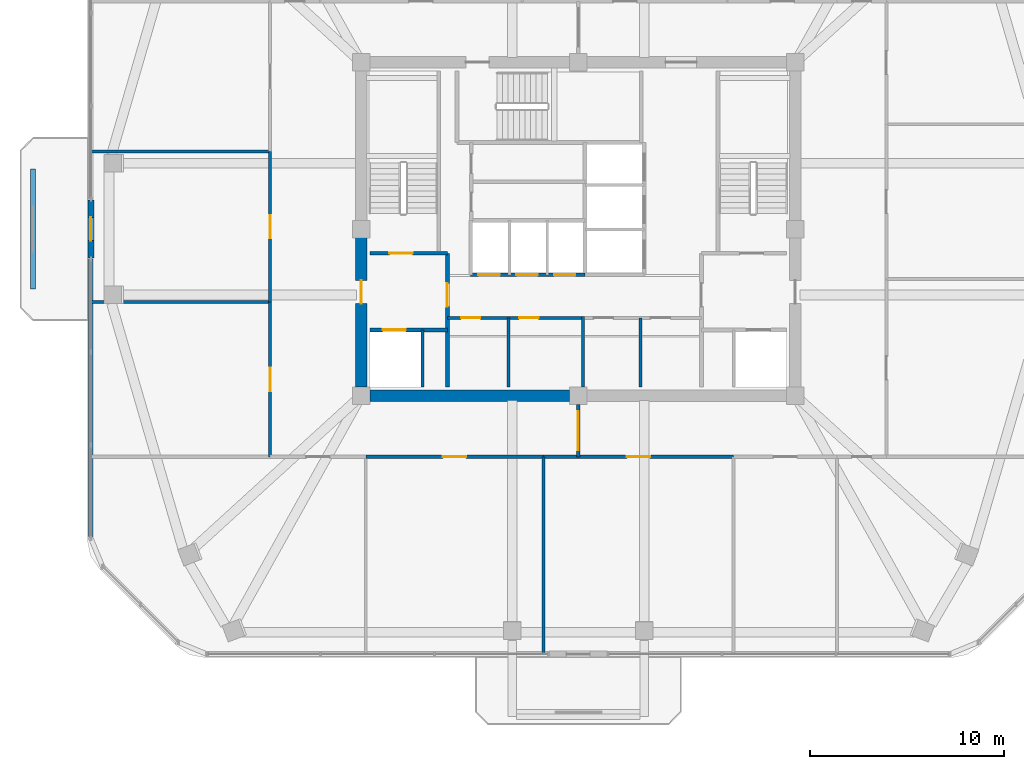
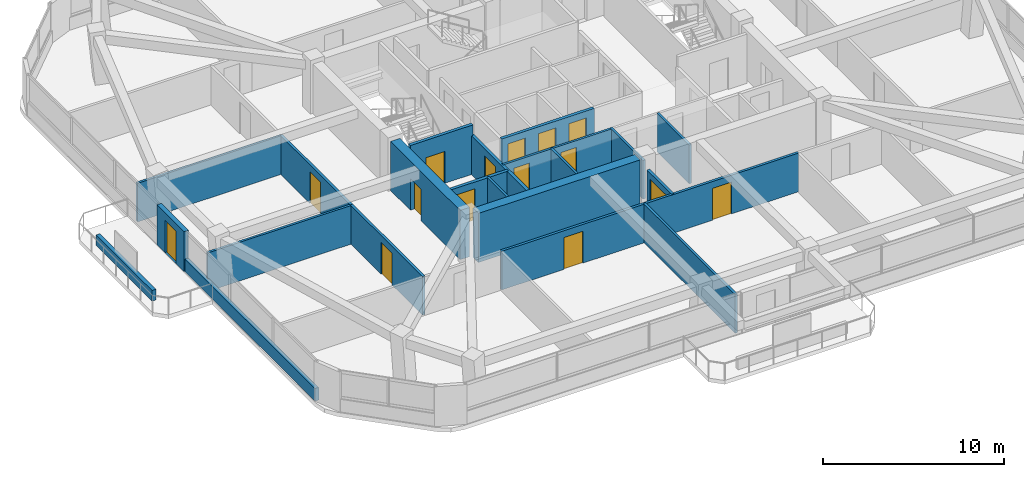
# One storey, part 8 of 13: 22 walls, 15 doors, 15 openings.
"""IFC4 building model written with IfcOpenShell, lengths in metres."""

from ifc_helpers import new_model, si_unit, derived_unit, direction, frame, frame_2d, origin, place, context, subcontext, project, spatial, rectangle, extrude, material, layer, layer_set, type_object, element, fill, save


model = new_model("IFC4")

# Units and contexts
model_context = context("Model", 3, precision=1e-05, world=origin(), true_north=direction((0.0, 1.0)))
body_context = subcontext(model_context, "Body", "Model", "MODEL_VIEW")
ifc_project = project(units=[si_unit("LENGTHUNIT", "METRE"), si_unit("AREAUNIT", "SQUARE_METRE"), si_unit("VOLUMEUNIT", "CUBIC_METRE"), si_unit("PLANEANGLEUNIT", "RADIAN"), si_unit("MASSUNIT", "GRAM", prefix="KILO"), derived_unit("THERMALTRANSMITTANCEUNIT", [(si_unit("POWERUNIT", "WATT"), 1), (si_unit("LENGTHUNIT", "METRE"), -2), (si_unit("THERMODYNAMICTEMPERATUREUNIT", "KELVIN"), -1)])], contexts=[model_context])

# Site, building, storey
site_placement = place(None, origin())
site = spatial("IfcSite", under=ifc_project, at=site_placement, CompositionType="ELEMENT")
building_placement = place(site_placement, origin())
building = spatial("IfcBuilding", under=site, at=building_placement, Name="Koralith Skygarden Medical Center", CompositionType="ELEMENT")
storey_placement = place(building_placement, frame((0.0, 0.0, 199.97998046875)))
storey = spatial("IfcBuildingStorey", under=building, at=storey_placement, Name="L51", CompositionType="ELEMENT", Elevation=199.97998046875)

# Wall, openings, doors
ifc_material_1 = material(Name="Gypsum Board Partition")
ifc_layer_1 = layer(ifc_material_1, 0.14990234375)
ifc_layer_set_1 = layer_set([ifc_layer_1], Name="Gypsum Board Partition")
wall_type_1 = type_object("IfcWallType", Name="Clinical Acoustic Partition 150", PredefinedType="PARTITIONING", material=ifc_layer_set_1)
wall_1_placement = place(storey_placement, frame((30.25, 21.320068359375, 0.0), z_axis=(0.0, 0.0, 1.0), x_axis=(1.0, 0.0, 0.0)))
wall_1 = element("IfcWall", 1, at=wall_1_placement, inside=storey, type_object=wall_type_1, Name="L51 Clinical Acoustic Partition 150 W-CORE-L51-FREED-LR-N", PredefinedType="PARTITIONING", context=body_context, shape_type="SweptSolid", body=[
    extrude(rectangle(XDim=7.0, YDim=0.14990234375, at=frame_2d((3.5, 0.0))), origin(), (0.0, 0.0, 1.0), 2.610107421875),
])
opening_1_placement = place(wall_1_placement, frame((0.699951171875, 0.0, 0.0)))
opening_1 = element("IfcOpeningElement", 2, at=opening_1_placement, cuts=wall_1, Name="Opening D-SUP", PredefinedType="OPENING", context=body_context, shape_type="SweptSolid", body=[
    extrude(rectangle(XDim=1.0, YDim=2.14990234375, at=frame_2d((0.5, 1.074951171875))), frame((0.0, 0.0849609375, 0.0), z_axis=(0.0, -1.0, 0.0), x_axis=(1.0, 0.0, 0.0)), (0.0, 0.0, 1.0), 0.169921875),
])
opening_2_placement = place(wall_1_placement, frame((3.699951171875, 0.0, 0.0)))
opening_2 = element("IfcOpeningElement", 3, at=opening_2_placement, cuts=wall_1, Name="Opening D-SUP", PredefinedType="OPENING", context=body_context, shape_type="SweptSolid", body=[
    extrude(rectangle(XDim=1.0, YDim=2.14990234375, at=frame_2d((0.5, 1.074951171875))), frame((0.0, 0.0849609375, 0.0), z_axis=(0.0, -1.0, 0.0), x_axis=(1.0, 0.0, 0.0)), (0.0, 0.0, 1.0), 0.169921875),
])
ifc_material_2 = material(Name="Aluminium 6063-T6", Category="aluminium")
door_type_1 = type_object("IfcDoorType", Name="Clinical Support Door D-SUP 1000", OperationType="NOTDEFINED", PredefinedType="DOOR", material=ifc_material_2)
door_1_placement = place(opening_1_placement, frame((1.0, 0.0, 0.0), z_axis=(0.0, 0.0, 1.0), x_axis=(-1.0, 0.0, 0.0)))
door_1 = element("IfcDoor", 4, at=door_1_placement, inside=storey, type_object=door_type_1, Name="L51 Medication Preparation Door", OperationType="SINGLE_SWING_LEFT", OverallHeight=2.14990234375, OverallWidth=1.0, PredefinedType="DOOR", context=body_context, shape_type="SweptSolid", body=[
    extrude(rectangle(XDim=1.0, YDim=2.14990234375, at=frame_2d((0.5, 1.074951171875))), frame((0.0, 0.02490234375, 0.0), z_axis=(0.0, -1.0, 0.0), x_axis=(1.0, 0.0, 0.0)), (0.0, 0.0, 1.0), 0.050048828125),
])
fill(opening_1, door_1)
door_2_placement = place(opening_2_placement, frame((1.0, 0.0, 0.0), z_axis=(0.0, 0.0, 1.0), x_axis=(-1.0, 0.0, 0.0)))
door_2 = element("IfcDoor", 5, at=door_2_placement, inside=storey, type_object=door_type_1, Name="L51 Telemetry Room Door", OperationType="SINGLE_SWING_RIGHT", OverallHeight=2.14990234375, OverallWidth=1.0, PredefinedType="DOOR", context=body_context, shape_type="SweptSolid", body=[
    extrude(rectangle(XDim=1.0, YDim=2.14990234375, at=frame_2d((0.5, 1.074951171875))), frame((0.0, 0.02490234375, 0.0), z_axis=(0.0, -1.0, 0.0), x_axis=(1.0, 0.0, 0.0)), (0.0, 0.0, 1.0), 0.050048828125),
])
fill(opening_2, door_2)

# Walls
for number, where, z_axis, x_axis, name in (
    (6, (33.39990234375, 17.75, 0.0), (0.0, 0.0, 1.0), (0.0, 1.0, 0.0), "L51 Clinical Acoustic Partition 150 W-CORE-L51-FREED-LR-M"),
    (7, (40.199951171875, 17.75, 0.0), (0.0, 0.0, 1.0), (0.0, 1.0, 0.0), "L51 Clinical Acoustic Partition 150 W-CORE-L51-FREED-MR-M"),
):
    element("IfcWall", number, at=place(storey_placement, frame(where, z_axis=z_axis, x_axis=x_axis)), inside=storey, type_object=wall_type_1, Name=name, PredefinedType="PARTITIONING", context=body_context, shape_type="SweptSolid", body=[
        extrude(rectangle(XDim=3.570068359375, YDim=0.14990234375, at=frame_2d((1.78515625, 0.0))), origin(), (0.0, 0.0, 1.0), 2.610107421875),
    ])
wall_2_placement = place(storey_placement, frame((35.199951171875, 14.14990234375, 0.0), z_axis=(0.0, 0.0, 1.0), x_axis=(0.0, -1.0, 0.0)))
element("IfcWall", 8, at=wall_2_placement, inside=storey, type_object=wall_type_1, Name="L51 Clinical Acoustic Partition 150 W-PART-L51-S-02", PredefinedType="PARTITIONING", context=body_context, shape_type="SweptSolid", body=[
    extrude(rectangle(XDim=10.156005859375, YDim=0.14990234375, at=frame_2d((5.078125, 0.0))), origin(), (0.0, 0.0, 1.0), 2.610107421875),
])
for number, where, z_axis, x_axis, name in (
    (9, (21.10009765625, 22.139892578125, 0.0), (0.0, 0.0, 1.0), (-1.0, 0.0, 0.0), "L51 Clinical Acoustic Partition 150 W-PART-L51-W-01"),
    (10, (21.10009765625, 29.89501953125, 0.0), (0.0, 0.0, 1.0), (-1.0, 0.0, 0.0), "L51 Clinical Acoustic Partition 150 W-PART-L51-W-02"),
):
    element("IfcWall", number, at=place(storey_placement, frame(where, z_axis=z_axis, x_axis=x_axis)), inside=storey, type_object=wall_type_1, Name=name, PredefinedType="PARTITIONING", context=body_context, shape_type="SweptSolid", body=[
        extrude(rectangle(XDim=9.22802734375, YDim=0.14990234375, at=frame_2d((4.614013671875, 0.0))), origin(), (0.0, 0.0, 1.0), 2.610107421875),
    ])

# Wall, opening, door
ifc_layer_2 = layer(ifc_material_1, 0.1650390625)
ifc_layer_set_2 = layer_set([ifc_layer_2], Name="Gypsum Board Partition")
wall_type_2 = type_object("IfcWallType", Name="Clinical Corridor Partition 165", PredefinedType="PARTITIONING", material=ifc_layer_set_2)
wall_3_placement = place(storey_placement, frame((26.035888671875, 14.14990234375, 0.0), z_axis=(0.0, 0.0, 1.0), x_axis=(1.0, 0.0, 0.0)))
wall_3 = element("IfcWall", 11, at=wall_3_placement, inside=storey, type_object=wall_type_2, Name="L51 Clinical Corridor Partition 165 W-CORR-L51-S-02", PredefinedType="PARTITIONING", context=body_context, shape_type="SweptSolid", body=[
    extrude(rectangle(XDim=9.1640625, YDim=0.1650390625, at=frame_2d((4.58203125, 0.0))), origin(), (0.0, 0.0, 1.0), 2.610107421875),
])
opening_3_placement = place(wall_3_placement, frame((3.98193359375, 0.0, 0.0)))
opening_3 = element("IfcOpeningElement", 12, at=opening_3_placement, cuts=wall_3, Name="Opening D-CLN", PredefinedType="OPENING", context=body_context, shape_type="SweptSolid", body=[
    extrude(rectangle(XDim=1.199951171875, YDim=2.14990234375, at=frame_2d((0.60009765625, 1.074951171875))), frame((0.0, 0.092529296875, 0.0), z_axis=(0.0, -1.0, 0.0), x_axis=(1.0, 0.0, 0.0)), (0.0, 0.0, 1.0), 0.18505859375),
])
door_type_2 = type_object("IfcDoorType", Name="Clinical Corridor Door D-CLN 1200", OperationType="NOTDEFINED", PredefinedType="DOOR", material=ifc_material_2)
door_3_placement = place(opening_3_placement, frame((1.199951171875, 0.0, 0.0), z_axis=(0.0, 0.0, 1.0), x_axis=(-1.0, 0.0, 0.0)))
door_3 = element("IfcDoor", 13, at=door_3_placement, inside=storey, type_object=door_type_2, Name="L51 Cardiac Stress Exercise Hall 07 Door", OperationType="SINGLE_SWING_RIGHT", OverallHeight=2.14990234375, OverallWidth=1.199951171875, PredefinedType="DOOR", context=body_context, shape_type="SweptSolid", body=[
    extrude(rectangle(XDim=1.199951171875, YDim=2.14990234375, at=frame_2d((0.60009765625, 1.074951171875))), frame((0.0, 0.02490234375, 0.0), z_axis=(0.0, -1.0, 0.0), x_axis=(1.0, 0.0, 0.0)), (0.0, 0.0, 1.0), 0.050048828125),
])
fill(opening_3, door_3)

wall_4_placement = place(storey_placement, frame((35.199951171875, 14.14990234375, 0.0), z_axis=(0.0, 0.0, 1.0), x_axis=(1.0, 0.0, 0.0)))
wall_4 = element("IfcWall", 14, at=wall_4_placement, inside=storey, type_object=wall_type_2, Name="L51 Clinical Corridor Partition 165 W-CORR-L51-S-03", PredefinedType="PARTITIONING", context=body_context, shape_type="SweptSolid", body=[
    extrude(rectangle(XDim=9.80908203125, YDim=0.1650390625, at=frame_2d((4.904541015625, 0.0))), origin(), (0.0, 0.0, 1.0), 2.610107421875),
])
opening_4_placement = place(wall_4_placement, frame((4.303955078125, 0.0, 0.0)))
opening_4 = element("IfcOpeningElement", 15, at=opening_4_placement, cuts=wall_4, Name="Opening D-CLN", PredefinedType="OPENING", context=body_context, shape_type="SweptSolid", body=[
    extrude(rectangle(XDim=1.199951171875, YDim=2.14990234375, at=frame_2d((0.60009765625, 1.074951171875))), frame((0.0, 0.092529296875, 0.0), z_axis=(0.0, -1.0, 0.0), x_axis=(1.0, 0.0, 0.0)), (0.0, 0.0, 1.0), 0.18505859375),
])
door_4_placement = place(opening_4_placement, frame((1.199951171875, 0.0, 0.0), z_axis=(0.0, 0.0, 1.0), x_axis=(-1.0, 0.0, 0.0)))
door_4 = element("IfcDoor", 16, at=door_4_placement, inside=storey, type_object=door_type_2, Name="L51 Patient and Family Sky-Garden Day Lounge 08 Door", OperationType="SINGLE_SWING_LEFT", OverallHeight=2.14990234375, OverallWidth=1.199951171875, PredefinedType="DOOR", context=body_context, shape_type="SweptSolid", body=[
    extrude(rectangle(XDim=1.199951171875, YDim=2.14990234375, at=frame_2d((0.60009765625, 1.074951171875))), frame((0.0, 0.02490234375, 0.0), z_axis=(0.0, -1.0, 0.0), x_axis=(1.0, 0.0, 0.0)), (0.0, 0.0, 1.0), 0.050048828125),
])
fill(opening_4, door_4)

wall_5_placement = place(storey_placement, frame((21.10009765625, 14.14990234375, 0.0), z_axis=(0.0, 0.0, 1.0), x_axis=(0.0, 1.0, 0.0)))
wall_5 = element("IfcWall", 17, at=wall_5_placement, inside=storey, type_object=wall_type_2, Name="L51 Clinical Corridor Partition 165 W-CORR-L51-W-01", PredefinedType="PARTITIONING", context=body_context, shape_type="SweptSolid", body=[
    extrude(rectangle(XDim=7.989990234375, YDim=0.1650390625, at=frame_2d((3.9951171875, 0.0))), origin(), (0.0, 0.0, 1.0), 2.610107421875),
])
opening_5_placement = place(wall_5_placement, frame((3.39501953125, 0.0, 0.0)))
opening_5 = element("IfcOpeningElement", 18, at=opening_5_placement, cuts=wall_5, Name="Opening D-CLN", PredefinedType="OPENING", context=body_context, shape_type="SweptSolid", body=[
    extrude(rectangle(XDim=1.199951171875, YDim=2.14990234375, at=frame_2d((0.60009765625, 1.074951171875))), frame((0.0, 0.092529296875, 0.0), z_axis=(0.0, -1.0, 0.0), x_axis=(1.0, 0.0, 0.0)), (0.0, 0.0, 1.0), 0.18505859375),
])
door_5_placement = place(opening_5_placement, frame((1.199951171875, 0.0, 0.0), z_axis=(0.0, 0.0, 1.0), x_axis=(-1.0, 0.0, 0.0)))
door_5 = element("IfcDoor", 19, at=door_5_placement, inside=storey, type_object=door_type_2, Name="L51 Pacemaker Interrogation Exam Room 11 Door", OperationType="SINGLE_SWING_RIGHT", OverallHeight=2.14990234375, OverallWidth=1.199951171875, PredefinedType="DOOR", context=body_context, shape_type="SweptSolid", body=[
    extrude(rectangle(XDim=1.199951171875, YDim=2.14990234375, at=frame_2d((0.60009765625, 1.074951171875))), frame((0.0, 0.02490234375, 0.0), z_axis=(0.0, -1.0, 0.0), x_axis=(1.0, 0.0, 0.0)), (0.0, 0.0, 1.0), 0.050048828125),
])
fill(opening_5, door_5)

wall_6_placement = place(storey_placement, frame((21.10009765625, 22.139892578125, 0.0), z_axis=(0.0, 0.0, 1.0), x_axis=(0.0, 1.0, 0.0)))
wall_6 = element("IfcWall", 20, at=wall_6_placement, inside=storey, type_object=wall_type_2, Name="L51 Clinical Corridor Partition 165 W-CORR-L51-W-02", PredefinedType="PARTITIONING", context=body_context, shape_type="SweptSolid", body=[
    extrude(rectangle(XDim=7.755126953125, YDim=0.1650390625, at=frame_2d((3.87744140625, 0.0))), origin(), (0.0, 0.0, 1.0), 2.610107421875),
])
opening_6_placement = place(wall_6_placement, frame((3.277099609375, 0.0, 0.0)))
opening_6 = element("IfcOpeningElement", 21, at=opening_6_placement, cuts=wall_6, Name="Opening D-CLN", PredefinedType="OPENING", context=body_context, shape_type="SweptSolid", body=[
    extrude(rectangle(XDim=1.199951171875, YDim=2.14990234375, at=frame_2d((0.60009765625, 1.074951171875))), frame((0.0, 0.092529296875, 0.0), z_axis=(0.0, -1.0, 0.0), x_axis=(1.0, 0.0, 0.0)), (0.0, 0.0, 1.0), 0.18505859375),
])
door_6_placement = place(opening_6_placement, frame((1.199951171875, 0.0, 0.0), z_axis=(0.0, 0.0, 1.0), x_axis=(-1.0, 0.0, 0.0)))
door_6 = element("IfcDoor", 22, at=door_6_placement, inside=storey, type_object=door_type_2, Name="L51 Patient and Family Sky-Garden Day Lounge 12 Door", OperationType="SINGLE_SWING_LEFT", OverallHeight=2.14990234375, OverallWidth=1.199951171875, PredefinedType="DOOR", context=body_context, shape_type="SweptSolid", body=[
    extrude(rectangle(XDim=1.199951171875, YDim=2.14990234375, at=frame_2d((0.60009765625, 1.074951171875))), frame((0.0, 0.02490234375, 0.0), z_axis=(0.0, -1.0, 0.0), x_axis=(1.0, 0.0, 0.0)), (0.0, 0.0, 1.0), 0.050048828125),
])
fill(opening_6, door_6)

ifc_layer_3 = layer(ifc_material_1, 0.199951171875)
ifc_layer_set_3 = layer_set([ifc_layer_3], Name="Gypsum Board Partition")
wall_type_3 = type_object("IfcWallType", Name="Fire Shaft Wall 200", PredefinedType="SOLIDWALL", material=ifc_layer_set_3)
wall_7_placement = place(storey_placement, frame((26.25, 20.699951171875, 0.0), z_axis=(0.0, 0.0, 1.0), x_axis=(1.0, 0.0, 0.0)))
wall_7 = element("IfcWall", 23, at=wall_7_placement, inside=storey, type_object=wall_type_3, Name="L51 Fire Shaft Wall 200 W-CORE-L51-FF1-N", PredefinedType="SOLIDWALL", context=body_context, shape_type="SweptSolid", body=[
    extrude(rectangle(XDim=4.0, YDim=0.199951171875, at=frame_2d((2.0, 0.0))), origin(), (0.0, 0.0, 1.0), 2.610107421875),
])
opening_7_placement = place(wall_7_placement, frame((0.64990234375, 0.0, 0.0)))
opening_7 = element("IfcOpeningElement", 24, at=opening_7_placement, cuts=wall_7, Name="Opening LD-FF", PredefinedType="OPENING", context=body_context, shape_type="SweptSolid", body=[
    extrude(rectangle(XDim=1.199951171875, YDim=2.14990234375, at=frame_2d((0.60009765625, 1.074951171875))), frame((0.0, 0.10986328125, 0.0), z_axis=(0.0, -1.0, 0.0), x_axis=(1.0, 0.0, 0.0)), (0.0, 0.0, 1.0), 0.219970703125),
])
ifc_material_3 = material(Name="Steel ASTM A500 Grade C", Category="steel")
door_type_3 = type_object("IfcDoorType", Name="Fire Lift Sliding Landing Door LD-FF 1200", OperationType="NOTDEFINED", PredefinedType="DOOR", material=ifc_material_3)
door_7_placement = place(opening_7_placement, origin())
door_7 = element("IfcDoor", 25, at=door_7_placement, inside=storey, type_object=door_type_3, Name="L51 Fire Service Elevator FF1 Landing Door", OperationType="SLIDING_TO_LEFT", OverallHeight=2.14990234375, OverallWidth=1.199951171875, PredefinedType="DOOR", context=body_context, shape_type="SweptSolid", body=[
    extrude(rectangle(XDim=1.199951171875, YDim=2.14990234375, at=frame_2d((0.60009765625, 1.074951171875))), frame((0.0, 0.02490234375, 0.0), z_axis=(0.0, -1.0, 0.0), x_axis=(1.0, 0.0, 0.0)), (0.0, 0.0, 1.0), 0.050048828125),
])
fill(opening_7, door_7)

wall_8_placement = place(storey_placement, frame((30.25, 17.75, 0.0), z_axis=(0.0, 0.0, 1.0), x_axis=(0.0, 1.0, 0.0)))
wall_8 = element("IfcWall", 26, at=wall_8_placement, inside=storey, type_object=wall_type_3, Name="L51 Fire Shaft Wall 200 W-CORE-L51-FSAEW-E", PredefinedType="SOLIDWALL", context=body_context, shape_type="SweptSolid", body=[
    extrude(rectangle(XDim=6.89990234375, YDim=0.199951171875, at=frame_2d((3.449951171875, 0.0))), origin(), (0.0, 0.0, 1.0), 2.610107421875),
])
opening_8_placement = place(wall_8_placement, frame((4.14990234375, 0.0, 0.0)))
opening_8 = element("IfcOpeningElement", 27, at=opening_8_placement, cuts=wall_8, Name="Opening D-ST60", PredefinedType="OPENING", context=body_context, shape_type="SweptSolid", body=[
    extrude(rectangle(XDim=1.199951171875, YDim=2.14990234375, at=frame_2d((0.60009765625, 1.074951171875))), frame((0.0, 0.10986328125, 0.0), z_axis=(0.0, -1.0, 0.0), x_axis=(1.0, 0.0, 0.0)), (0.0, 0.0, 1.0), 0.219970703125),
])
door_type_4 = type_object("IfcDoorType", Name="Smokeproof Stair Fire Door FD60S 1200", OperationType="NOTDEFINED", PredefinedType="DOOR", material=ifc_material_3)
door_8_placement = place(opening_8_placement, origin())
door_8 = element("IfcDoor", 28, at=door_8_placement, inside=storey, type_object=door_type_4, Name="L51 West Firefighting Lobby Inner Fire Door", OperationType="SINGLE_SWING_LEFT", OverallHeight=2.14990234375, OverallWidth=1.199951171875, PredefinedType="DOOR", context=body_context, shape_type="SweptSolid", body=[
    extrude(rectangle(XDim=1.199951171875, YDim=2.14990234375, at=frame_2d((0.60009765625, 1.074951171875))), frame((0.0, 0.02490234375, 0.0), z_axis=(0.0, -1.0, 0.0), x_axis=(1.0, 0.0, 0.0)), (0.0, 0.0, 1.0), 0.050048828125),
])
fill(opening_8, door_8)

# Wall, openings, doors
wall_9_placement = place(storey_placement, frame((31.449951171875, 23.5400390625, 0.0), z_axis=(0.0, 0.0, 1.0), x_axis=(1.0, 0.0, 0.0)))
wall_9 = element("IfcWall", 29, at=wall_9_placement, inside=storey, type_object=wall_type_3, Name="L51 Fire Shaft Wall 200 W-CORE-L51-PH-S", PredefinedType="SOLIDWALL", context=body_context, shape_type="SweptSolid", body=[
    extrude(rectangle(XDim=5.900146484375, YDim=0.199951171875, at=frame_2d((2.9501953125, 0.0))), origin(), (0.0, 0.0, 1.0), 2.610107421875),
])
opening_9_placement = place(wall_9_placement, frame((0.39990234375, 0.0, 0.0)))
opening_9 = element("IfcOpeningElement", 30, at=opening_9_placement, cuts=wall_9, Name="Opening LD-P", PredefinedType="OPENING", context=body_context, shape_type="SweptSolid", body=[
    extrude(rectangle(XDim=1.10009765625, YDim=2.14990234375, at=frame_2d((0.550048828125, 1.074951171875))), frame((0.0, 0.10986328125, 0.0), z_axis=(0.0, -1.0, 0.0), x_axis=(1.0, 0.0, 0.0)), (0.0, 0.0, 1.0), 0.219970703125),
])
opening_10_placement = place(wall_9_placement, frame((2.35009765625, 0.0, 0.0)))
opening_10 = element("IfcOpeningElement", 31, at=opening_10_placement, cuts=wall_9, Name="Opening LD-P", PredefinedType="OPENING", context=body_context, shape_type="SweptSolid", body=[
    extrude(rectangle(XDim=1.10009765625, YDim=2.14990234375, at=frame_2d((0.550048828125, 1.074951171875))), frame((0.0, 0.10986328125, 0.0), z_axis=(0.0, -1.0, 0.0), x_axis=(1.0, 0.0, 0.0)), (0.0, 0.0, 1.0), 0.219970703125),
])
opening_11_placement = place(wall_9_placement, frame((4.300048828125, 0.0, 0.0)))
opening_11 = element("IfcOpeningElement", 32, at=opening_11_placement, cuts=wall_9, Name="Opening LD-P", PredefinedType="OPENING", context=body_context, shape_type="SweptSolid", body=[
    extrude(rectangle(XDim=1.10009765625, YDim=2.14990234375, at=frame_2d((0.550048828125, 1.074951171875))), frame((0.0, 0.10986328125, 0.0), z_axis=(0.0, -1.0, 0.0), x_axis=(1.0, 0.0, 0.0)), (0.0, 0.0, 1.0), 0.219970703125),
])
door_type_5 = type_object("IfcDoorType", Name="Passenger Lift Sliding Landing Door LD-P 1100", OperationType="NOTDEFINED", PredefinedType="DOOR", material=ifc_material_3)
door_9_placement = place(opening_9_placement, origin())
door_9 = element("IfcDoor", 33, at=door_9_placement, inside=storey, type_object=door_type_5, Name="L51 Passenger Elevator PH1 Landing Door", OperationType="SLIDING_TO_RIGHT", OverallHeight=2.14990234375, OverallWidth=1.10009765625, PredefinedType="DOOR", context=body_context, shape_type="SweptSolid", body=[
    extrude(rectangle(XDim=1.10009765625, YDim=2.14990234375, at=frame_2d((0.550048828125, 1.074951171875))), frame((0.0, 0.02490234375, 0.0), z_axis=(0.0, -1.0, 0.0), x_axis=(1.0, 0.0, 0.0)), (0.0, 0.0, 1.0), 0.050048828125),
])
fill(opening_9, door_9)
door_10_placement = place(opening_10_placement, origin())
door_10 = element("IfcDoor", 34, at=door_10_placement, inside=storey, type_object=door_type_5, Name="L51 Passenger Elevator PH2 Landing Door", OperationType="SLIDING_TO_RIGHT", OverallHeight=2.14990234375, OverallWidth=1.10009765625, PredefinedType="DOOR", context=body_context, shape_type="SweptSolid", body=[
    extrude(rectangle(XDim=1.10009765625, YDim=2.14990234375, at=frame_2d((0.550048828125, 1.074951171875))), frame((0.0, 0.02490234375, 0.0), z_axis=(0.0, -1.0, 0.0), x_axis=(1.0, 0.0, 0.0)), (0.0, 0.0, 1.0), 0.050048828125),
])
fill(opening_10, door_10)
door_11_placement = place(opening_11_placement, origin())
door_11 = element("IfcDoor", 35, at=door_11_placement, inside=storey, type_object=door_type_5, Name="L51 Passenger Elevator PH3 Landing Door", OperationType="SLIDING_TO_RIGHT", OverallHeight=2.14990234375, OverallWidth=1.10009765625, PredefinedType="DOOR", context=body_context, shape_type="SweptSolid", body=[
    extrude(rectangle(XDim=1.10009765625, YDim=2.14990234375, at=frame_2d((0.550048828125, 1.074951171875))), frame((0.0, 0.02490234375, 0.0), z_axis=(0.0, -1.0, 0.0), x_axis=(1.0, 0.0, 0.0)), (0.0, 0.0, 1.0), 0.050048828125),
])
fill(opening_11, door_11)

# Wall, opening, door
ifc_layer_4 = layer(ifc_material_1, 0.179931640625)
ifc_layer_set_4 = layer_set([ifc_layer_4], Name="Gypsum Board Partition")
wall_type_4 = type_object("IfcWallType", Name="Group I-2 Smoke Barrier Wall 180", PredefinedType="PARTITIONING", material=ifc_layer_set_4)
wall_10_placement = place(storey_placement, frame((37.0, 14.14990234375, 0.0), z_axis=(0.0, 0.0, 1.0), x_axis=(0.0, 1.0, 0.0)))
wall_10 = element("IfcWall", 36, at=wall_10_placement, inside=storey, type_object=wall_type_4, Name="L51 Group I-2 Smoke Barrier Wall 180 W-SMK-L51-S", PredefinedType="PARTITIONING", context=body_context, shape_type="SweptSolid", body=[
    extrude(rectangle(XDim=2.7001953125, YDim=0.179931640625, at=frame_2d((1.35009765625, 0.0))), origin(), (0.0, 0.0, 1.0), 2.610107421875),
])
opening_12_placement = place(wall_10_placement, frame((0.35009765625, 0.0, 0.0)))
opening_12 = element("IfcOpeningElement", 37, at=opening_12_placement, cuts=wall_10, Name="Opening D-SMK", PredefinedType="OPENING", context=body_context, shape_type="SweptSolid", body=[
    extrude(rectangle(XDim=2.0, YDim=2.199951171875, at=frame_2d((1.0, 1.10009765625))), frame((0.0, 0.099853515625, 0.0), z_axis=(0.0, -1.0, 0.0), x_axis=(1.0, 0.0, 0.0)), (0.0, 0.0, 1.0), 0.199951171875),
])
door_type_6 = type_object("IfcDoorType", Name="Cross-Corridor Double Smoke Door FD60S 2000", OperationType="NOTDEFINED", PredefinedType="DOOR", material=ifc_material_3)
door_12_placement = place(opening_12_placement, frame((2.0, 0.0, 0.0), z_axis=(0.0, 0.0, 1.0), x_axis=(-1.0, 0.0, 0.0)))
door_12 = element("IfcDoor", 38, at=door_12_placement, inside=storey, type_object=door_type_6, Name="L51 S Smoke Compartment Cross-Corridor Door", OperationType="DOUBLE_DOOR_SINGLE_SWING", OverallHeight=2.199951171875, OverallWidth=2.0, PredefinedType="DOOR", context=body_context, shape_type="SweptSolid", body=[
    extrude(rectangle(XDim=2.0, YDim=2.199951171875, at=frame_2d((1.0, 1.10009765625))), frame((0.0, 0.02490234375, 0.0), z_axis=(0.0, -1.0, 0.0), x_axis=(1.0, 0.0, 0.0)), (0.0, 0.0, 1.0), 0.050048828125),
])
fill(opening_12, door_12)

# Wall
ifc_material_4 = material(Name="Warm Oolitic Limestone Cladding", Category="masonry")
ifc_layer_5 = layer(ifc_material_4, 0.239990234375)
ifc_layer_set_5 = layer_set([ifc_layer_5], Name="Warm Oolitic Limestone Cladding")
wall_type_5 = type_object("IfcWallType", Name="Limestone Spandrel Sill Backup Wall 240", PredefinedType="SOLIDWALL", material=ifc_layer_set_5)
wall_11_placement = place(storey_placement, frame((11.85205078125, 24.361083984375, 0.0), z_axis=(0.0, 0.0, 1.0), x_axis=(0.0, -1.0, 0.0)))
element("IfcWall", 39, at=wall_11_placement, inside=storey, type_object=wall_type_5, Name="L51 Sill Spandrel W-R", PredefinedType="SOLIDWALL", context=body_context, shape_type="SweptSolid", body=[
    extrude(rectangle(XDim=14.412109375, YDim=0.239990234375, at=frame_2d((7.2060546875, 0.0))), origin(), (0.0, 0.0, 1.0), 0.85009765625),
])

# Wall, opening, door
ifc_layer_6 = layer(ifc_material_4, 0.300048828125)
ifc_layer_set_6 = layer_set([ifc_layer_6], Name="Warm Oolitic Limestone Cladding")
wall_type_6 = type_object("IfcWallType", Name="Oolitic Limestone Insulated Facade Wall 300", PredefinedType="SOLIDWALL", material=ifc_layer_set_6)
wall_12_placement = place(storey_placement, frame((11.85205078125, 27.40087890625, 0.0), z_axis=(0.0, 0.0, 1.0), x_axis=(0.0, -1.0, 0.0)))
wall_12 = element("IfcWall", 40, at=wall_12_placement, inside=storey, type_object=wall_type_6, Name="L51 Terrace Portal Wall W", PredefinedType="SOLIDWALL", context=body_context, shape_type="SweptSolid", body=[
    extrude(rectangle(XDim=3.0, YDim=0.300048828125, at=frame_2d((1.5, 0.0))), origin(), (0.0, 0.0, 1.0), 2.68994140625),
])
opening_13_placement = place(wall_12_placement, frame((0.89990234375, 0.0, 0.0)))
opening_13 = element("IfcOpeningElement", 41, at=opening_13_placement, cuts=wall_12, Name="Opening D-BAL", PredefinedType="OPENING", context=body_context, shape_type="SweptSolid", body=[
    extrude(rectangle(XDim=1.199951171875, YDim=2.199951171875, at=frame_2d((0.60009765625, 1.10009765625))), frame((0.0, 0.159912109375, 0.0), z_axis=(0.0, -1.0, 0.0), x_axis=(1.0, 0.0, 0.0)), (0.0, 0.0, 1.0), 0.320068359375),
])
door_type_7 = type_object("IfcDoorType", Name="Planted Balcony Glazed Terrace Door D-BAL 1200", OperationType="NOTDEFINED", PredefinedType="DOOR", material=ifc_material_2)
door_13_placement = place(opening_13_placement, origin())
door_13 = element("IfcDoor", 42, at=door_13_placement, inside=storey, type_object=door_type_7, Name="L51 W Outdoor Terrace Access Door", OperationType="SINGLE_SWING_RIGHT", OverallHeight=2.199951171875, OverallWidth=1.199951171875, PredefinedType="DOOR", context=body_context, shape_type="SweptSolid", body=[
    extrude(rectangle(XDim=1.199951171875, YDim=2.199951171875, at=frame_2d((0.60009765625, 1.10009765625))), frame((0.0, 0.02490234375, 0.0), z_axis=(0.0, -1.0, 0.0), x_axis=(1.0, 0.0, 0.0)), (0.0, 0.0, 1.0), 0.050048828125),
])
fill(opening_13, door_13)

# Walls
ifc_layer_7 = layer(ifc_material_1, 0.14990234375)
ifc_layer_set_7 = layer_set([ifc_layer_7], Name="Gypsum Board Partition")
wall_type_7 = type_object("IfcWallType", Name="Shaft Partition Wall 150", PredefinedType="PARTITIONING", material=ifc_layer_set_7)
wall_13_placement = place(storey_placement, frame((28.969970703125, 17.75, 0.0), z_axis=(0.0, 0.0, 1.0), x_axis=(0.0, 1.0, 0.0)))
element("IfcWall", 43, at=wall_13_placement, inside=storey, type_object=wall_type_7, Name="L51 Shaft Partition Wall 150 W-CORE-L51-RSRW-DIV", PredefinedType="PARTITIONING", context=body_context, shape_type="SweptSolid", body=[
    extrude(rectangle(XDim=2.949951171875, YDim=0.14990234375, at=frame_2d((1.47509765625, 0.0))), origin(), (0.0, 0.0, 1.0), 2.610107421875),
])
wall_14_placement = place(storey_placement, frame((37.25, 17.75, 0.0), z_axis=(0.0, 0.0, 1.0), x_axis=(0.0, 1.0, 0.0)))
element("IfcWall", 44, at=wall_14_placement, inside=storey, type_object=wall_type_7, Name="L51 Shaft Partition Wall 150 W-CORE-L51-PL-PM-SEP", PredefinedType="PARTITIONING", context=body_context, shape_type="SweptSolid", body=[
    extrude(rectangle(XDim=3.64990234375, YDim=0.14990234375, at=frame_2d((1.824951171875, 0.0))), origin(), (0.0, 0.0, 1.0), 2.610107421875),
])
ifc_material_5 = material(Name="Precast concrete C40/50", Category="concrete")
ifc_layer_8 = layer(ifc_material_5, 0.25)
ifc_layer_set_8 = layer_set([ifc_layer_8], Name="Precast concrete C40/50")
wall_type_8 = type_object("IfcWallType", Name="Structural Concrete Balcony Planter Kerb 250", PredefinedType="PARAPET", material=ifc_layer_set_8)
wall_15_placement = place(storey_placement, frame((8.8720703125, 22.800048828125, 0.0), z_axis=(0.0, 0.0, 1.0), x_axis=(0.0, 1.0, 0.0)))
element("IfcWall", 45, at=wall_15_placement, inside=storey, type_object=wall_type_8, Name="L51 W Structural Tree PLANTER Box", PredefinedType="PARAPET", context=body_context, shape_type="SweptSolid", body=[
    extrude(rectangle(XDim=6.199951171875, YDim=0.25, at=frame_2d((3.10009765625, 0.0))), origin(), (0.0, 0.0, 1.0), 0.719970703125),
])

# Wall, opening, door
ifc_material_6 = material(Name="Concrete C45/55", Category="concrete")
ifc_layer_9 = layer(ifc_material_6, 0.199951171875)
ifc_layer_set_9 = layer_set([ifc_layer_9], Name="Concrete C45/55")
wall_type_9 = type_object("IfcWallType", Name="Structural Stair Shaft Wall 200", PredefinedType="SHEAR", material=ifc_layer_set_9)
wall_16_placement = place(storey_placement, frame((26.25, 24.64990234375, 0.0), z_axis=(0.0, 0.0, 1.0), x_axis=(1.0, 0.0, 0.0)))
wall_16 = element("IfcWall", 46, at=wall_16_placement, inside=storey, type_object=wall_type_9, Name="L51 Structural Stair Shaft Wall 200 W-CORE-L51-ST1-S", PredefinedType="SHEAR", context=body_context, shape_type="SweptSolid", body=[
    extrude(rectangle(XDim=4.0, YDim=0.199951171875, at=frame_2d((2.0, 0.0))), origin(), (0.0, 0.0, 1.0), 3.320068359375),
])
opening_14_placement = place(wall_16_placement, frame((1.0, 0.0, 0.0)))
opening_14 = element("IfcOpeningElement", 47, at=opening_14_placement, cuts=wall_16, Name="Opening D-ST60", PredefinedType="OPENING", context=body_context, shape_type="SweptSolid", body=[
    extrude(rectangle(XDim=1.199951171875, YDim=2.14990234375, at=frame_2d((0.60009765625, 1.074951171875))), frame((0.0, 0.10986328125, 0.0), z_axis=(0.0, -1.0, 0.0), x_axis=(1.0, 0.0, 0.0)), (0.0, 0.0, 1.0), 0.219970703125),
])
door_14_placement = place(opening_14_placement, origin())
door_14 = element("IfcDoor", 48, at=door_14_placement, inside=storey, type_object=door_type_4, Name="L51 Exit Stair ST1 Fire Door", OperationType="SINGLE_SWING_LEFT", OverallHeight=2.14990234375, OverallWidth=1.199951171875, PredefinedType="DOOR", context=body_context, shape_type="SweptSolid", body=[
    extrude(rectangle(XDim=1.199951171875, YDim=2.14990234375, at=frame_2d((0.60009765625, 1.074951171875))), frame((0.0, 0.02490234375, 0.0), z_axis=(0.0, -1.0, 0.0), x_axis=(1.0, 0.0, 0.0)), (0.0, 0.0, 1.0), 0.050048828125),
])
fill(opening_14, door_14)

# Wall
ifc_material_7 = material(Name="Concrete C55/67", Category="concrete")
ifc_layer_10 = layer(ifc_material_7, 0.60009765625)
ifc_layer_set_10 = layer_set([ifc_layer_10], Name="Concrete C55/67")
wall_type_10 = type_object("IfcWallType", Name="Upper Core Shear Wall 600", PredefinedType="SHEAR", material=ifc_layer_set_10)
wall_17_placement = place(storey_placement, frame((26.2451171875, 17.300048828125, 0.0), z_axis=(0.0, 0.0, 1.0), x_axis=(1.0, 0.0, 0.0)))
element("IfcWall", 49, at=wall_17_placement, inside=storey, type_object=wall_type_10, Name="L51 Core Shear Wall Segment 1", PredefinedType="SHEAR", context=body_context, shape_type="SweptSolid", body=[
    extrude(rectangle(XDim=10.309814453125, YDim=0.60009765625, at=frame_2d((5.15478515625, 0.0))), origin(), (0.0, 0.0, 1.0), 3.320068359375),
])

# Wall, opening, door
wall_18_placement = place(storey_placement, frame((25.800048828125, 25.455078125, 0.0), z_axis=(0.0, 0.0, 1.0), x_axis=(0.0, -1.0, 0.0)))
wall_18 = element("IfcWall", 50, at=wall_18_placement, inside=storey, type_object=wall_type_10, Name="L51 Core Shear Wall Segment 8", PredefinedType="SHEAR", context=body_context, shape_type="SweptSolid", body=[
    extrude(rectangle(XDim=7.7099609375, YDim=0.60009765625, at=frame_2d((3.85498046875, 0.0))), origin(), (0.0, 0.0, 1.0), 3.320068359375),
])
opening_15_placement = place(wall_18_placement, frame((2.205078125, 0.0, 0.0)))
opening_15 = element("IfcOpeningElement", 51, at=opening_15_placement, cuts=wall_18, Name="Opening D-ST60", PredefinedType="OPENING", context=body_context, shape_type="SweptSolid", body=[
    extrude(rectangle(XDim=1.199951171875, YDim=2.14990234375, at=frame_2d((0.60009765625, 1.074951171875))), frame((0.0, 0.31005859375, 0.0), z_axis=(0.0, -1.0, 0.0), x_axis=(1.0, 0.0, 0.0)), (0.0, 0.0, 1.0), 0.6201171875),
])
door_15_placement = place(opening_15_placement, frame((1.199951171875, 0.0, 0.0), z_axis=(0.0, 0.0, 1.0), x_axis=(-1.0, 0.0, 0.0)))
door_15 = element("IfcDoor", 52, at=door_15_placement, inside=storey, type_object=door_type_4, Name="L51 West Corridor to Firefighting Lobby Door", OperationType="SINGLE_SWING_LEFT", OverallHeight=2.14990234375, OverallWidth=1.199951171875, PredefinedType="DOOR", context=body_context, shape_type="SweptSolid", body=[
    extrude(rectangle(XDim=1.199951171875, YDim=2.14990234375, at=frame_2d((0.60009765625, 1.074951171875))), frame((0.0, 0.02490234375, 0.0), z_axis=(0.0, -1.0, 0.0), x_axis=(1.0, 0.0, 0.0)), (0.0, 0.0, 1.0), 0.050048828125),
])
fill(opening_15, door_15)

save(model, "model.ifc")
